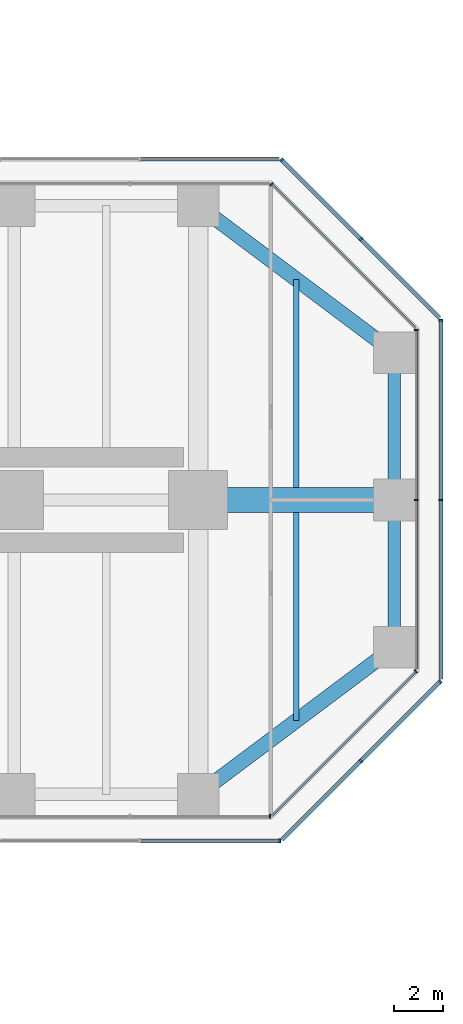
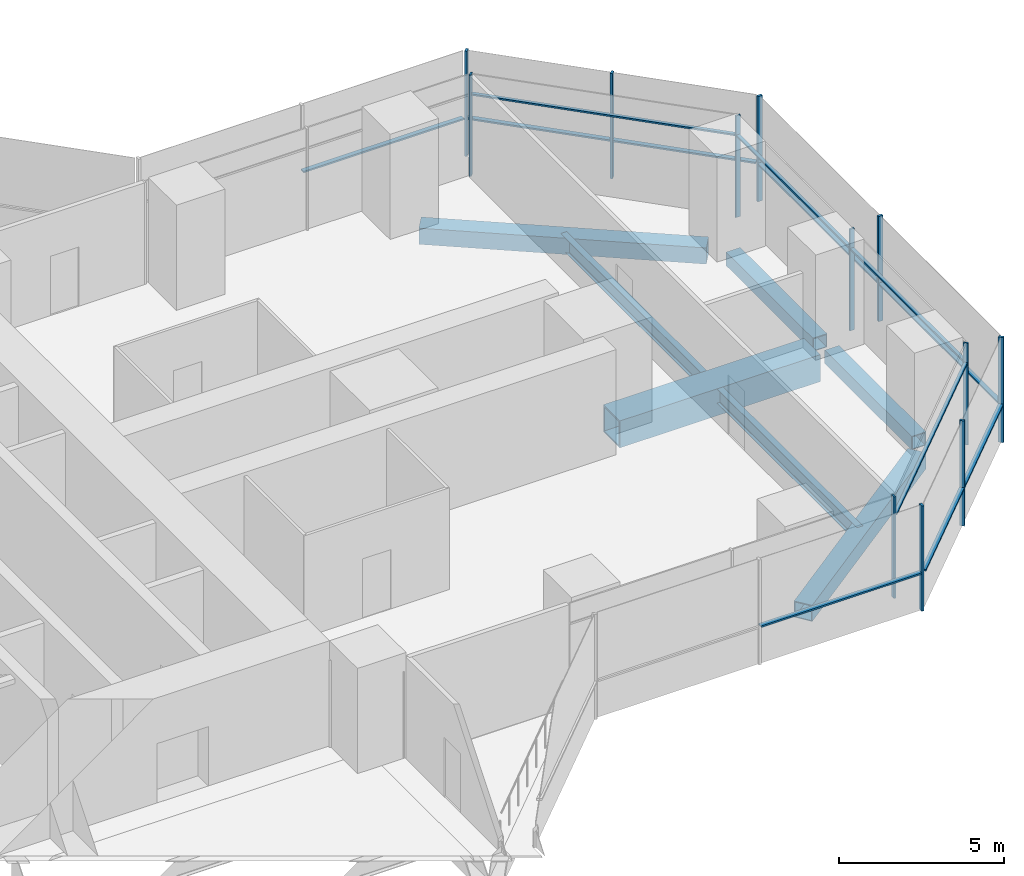
# One storey, part 11 of 19: 24 members, 7 beams, 9 elements without a shape of their own.
"""IFC4 building model written with IfcOpenShell, lengths in metres."""

import ifcopenshell
import ifcopenshell.guid

model = None  # the IFC model being written
_history = None  # IfcOwnerHistory: only IFC2X3 demands one
_inside = {}  # id of a spatial element -> (the spatial element, [elements in it])
_under = {}  # id of a project, library or spatial element -> (it, [spatial elements below it])
_declared = {}  # id of a project -> (the project, [libraries it declares])
_typed = {}  # id of a type object -> (the type object, [elements of that type])
_made_of = {}  # id of a material, layer set ... -> (it, [elements and type objects made of it])


def new_model(schema):
    """Start an empty IFC model of exactly this schema.

    Asked for "IFC4X3", IfcOpenShell would pick the latest addendum, in which some entities
    have other attributes; the version numbers below select the first issue.
    IFC2X3 requires an IfcOwnerHistory on every rooted entity: one is made here for all.
    """
    global model, _history
    if schema == "IFC4X3":
        model = ifcopenshell.file(schema_version=(4, 3, 0, 0))
    else:
        model = ifcopenshell.file(schema=schema)
    _inside.clear()
    _under.clear()
    _declared.clear()
    _typed.clear()
    _made_of.clear()
    _history = None
    if model.schema == "IFC2X3":
        org = make("IfcOrganization", Name="unknown")
        user = make(
            "IfcPersonAndOrganization",
            ThePerson=make("IfcPerson", FamilyName="unknown"),
            TheOrganization=org,
        )
        app = make(
            "IfcApplication",
            ApplicationDeveloper=org,
            Version="unknown",
            ApplicationFullName="unknown",
            ApplicationIdentifier="unknown",
        )
        _history = make(
            "IfcOwnerHistory",
            OwningUser=user,
            OwningApplication=app,
            ChangeAction="ADDED",
            CreationDate=0,
        )
    return model


def make(cls, **values):
    """One entity of the class cls with the attributes given. An attribute that is None is left unset."""
    return model.create_entity(
        cls, **{name: value for name, value in values.items() if value is not None}
    )


def rooted(cls, **values):
    """An entity with a GlobalId (a new one), such as an element, a storey or a relation."""
    return make(cls, GlobalId=ifcopenshell.guid.new(), OwnerHistory=_history, **values)


def si_unit(unit_type, name, prefix=None):
    """IfcSIUnit, for example si_unit("LENGTHUNIT", "METRE", prefix="MILLI")."""
    return make("IfcSIUnit", UnitType=unit_type, Prefix=prefix, Name=name)


def assignment(units):
    """IfcUnitAssignment: the units of a project."""
    return None if units is None else make("IfcUnitAssignment", Units=units)


def point(xyz):
    """IfcCartesianPoint."""
    return None if xyz is None else make("IfcCartesianPoint", Coordinates=xyz)


def direction(xyz):
    """IfcDirection."""
    return None if xyz is None else make("IfcDirection", DirectionRatios=xyz)


def frame(location, z_axis=None, x_axis=None):
    """IfcAxis2Placement3D, a coordinate frame: its origin and axes. An axis left out is left unset."""
    return make(
        "IfcAxis2Placement3D",
        Location=point(location),
        Axis=direction(z_axis),
        RefDirection=direction(x_axis),
    )


def frame_2d(location, x_axis=None):
    """IfcAxis2Placement2D, a coordinate frame in the plane: its origin and x axis."""
    return make(
        "IfcAxis2Placement2D", Location=point(location), RefDirection=direction(x_axis)
    )


def origin():
    """The frame at (0, 0, 0) with its axes left unset."""
    return frame((0.0, 0.0, 0.0))


def origin_2d():
    """The frame at (0, 0) in the plane with its x axis left unset."""
    return frame_2d((0.0, 0.0))


def place(relative_to, where):
    """IfcLocalPlacement: puts the frame where relative to a parent placement (None: the world)."""
    return make(
        "IfcLocalPlacement", PlacementRelTo=relative_to, RelativePlacement=where
    )


def context(
    kind, dimensions, precision=None, world=None, true_north=None, identifier=None
):
    """IfcGeometricRepresentationContext, for example the 3D "Model" context."""
    return make(
        "IfcGeometricRepresentationContext",
        ContextIdentifier=identifier,
        ContextType=kind,
        CoordinateSpaceDimension=dimensions,
        Precision=precision,
        WorldCoordinateSystem=world,
        TrueNorth=true_north,
    )


def subcontext(parent, identifier, kind, view, scale=None):
    """IfcGeometricRepresentationSubContext, for example "Body" below "Model"."""
    return make(
        "IfcGeometricRepresentationSubContext",
        ContextIdentifier=identifier,
        ContextType=kind,
        ParentContext=parent,
        TargetScale=scale,
        TargetView=view,
    )


def project(units=None, contexts=None):
    """IfcProject with its units and contexts."""
    return rooted(
        "IfcProject",
        Name="project",
        RepresentationContexts=contexts,
        UnitsInContext=assignment(units),
    )


def spatial(cls, under=None, at=None, **own):
    """A site, building, storey or space (cls), placed at a placement, below another one or the project."""
    s = rooted(cls, ObjectPlacement=at, **own)
    if under is not None:
        _under.setdefault(under.id(), (under, []))[1].append(s)
    return s


def profile(cls, at=None, kind="AREA", **sizes):
    """A parametric profile (cls). Its sizes go by their IFC names, for example OverallWidth=200.0."""
    return make(cls, ProfileType=kind, Position=at, **sizes)


def rectangle(**sizes):
    """IfcRectangleProfileDef."""
    return profile("IfcRectangleProfileDef", **sizes)


def hollow_rectangle(**sizes):
    """IfcRectangleHollowProfileDef."""
    return profile("IfcRectangleHollowProfileDef", **sizes)


def i_section(**sizes):
    """IfcIShapeProfileDef."""
    return profile("IfcIShapeProfileDef", **sizes)


def extrude(swept, where, along, depth):
    """IfcExtrudedAreaSolid: the profile swept, set in the frame where, extruded along a direction by depth."""
    return make(
        "IfcExtrudedAreaSolid",
        SweptArea=swept,
        Position=where,
        ExtrudedDirection=direction(along),
        Depth=depth,
    )


def shape(context_of_items, identifier, shape_type, items):
    """IfcShapeRepresentation: the items that make up one representation, for example the "Body"."""
    return make(
        "IfcShapeRepresentation",
        ContextOfItems=context_of_items,
        RepresentationIdentifier=identifier,
        RepresentationType=shape_type,
        Items=items,
    )


def material(Name=None, Category=None):
    """IfcMaterial."""
    return make("IfcMaterial", Name=Name, Category=Category)


def material_profile(
    of_material, cross_section, Name=None, Category=None, Priority=None
):
    """IfcMaterialProfile: a cross section and its material."""
    return make(
        "IfcMaterialProfile",
        Name=Name,
        Material=of_material,
        Profile=cross_section,
        Priority=Priority,
        Category=Category,
    )


def profile_set(profiles, Name=None, composite=None):
    """IfcMaterialProfileSet."""
    return make(
        "IfcMaterialProfileSet",
        Name=Name,
        MaterialProfiles=profiles,
        CompositeProfile=composite,
    )


def made_of(thing, what):
    """Note that an element or type object is made of a material, layer set ...; save() writes the relation."""
    if what is not None:
        _made_of.setdefault(what.id(), (what, []))[1].append(thing)
    return thing


def type_object(cls, material=None, **own):
    """A type object (cls), such as IfcWallType, which elements share."""
    return made_of(rooted(cls, **own), material)


def element(
    cls,
    number,
    at=None,
    inside=None,
    cuts=None,
    type_object=None,
    material=None,
    context=None,
    identifier="Body",
    shape_type=None,
    held_by="IfcProductDefinitionShape",
    body=None,
    shapes=None,
    **own,
):
    """One element of the class cls, such as IfcWall. Its Tag is "e" and its number.

    at: its placement. inside: the storey or other place that contains it. cuts: it is an
    opening in that element (IfcRelVoidsElement). A single representation is given by context,
    identifier, shape_type and body (its items); several are given by shapes. held_by: the class
    of the entity that holds the representations. save() writes the other relations.
    """
    e = rooted(cls, Tag="e%d" % number, ObjectPlacement=at, **own)
    if body is not None:
        shapes = [shape(context, identifier, shape_type, body)]
    if shapes is not None:
        e.Representation = make(held_by, Representations=shapes)
    if inside is not None:
        _inside.setdefault(inside.id(), (inside, []))[1].append(e)
    if cuts is not None:
        rooted(
            "IfcRelVoidsElement", RelatingBuildingElement=cuts, RelatedOpeningElement=e
        )
    if type_object is not None:
        _typed.setdefault(type_object.id(), (type_object, []))[1].append(e)
    return made_of(e, material)


def aggregate(whole, parts):
    """IfcRelAggregates: a whole, such as a stair, and the parts it consists of."""
    return rooted("IfcRelAggregates", RelatingObject=whole, RelatedObjects=parts)


def save(model, path):
    """Write the relations noted so far, then the file.

    IfcRelAggregates (storeys below a building ...), IfcRelContainedInSpatialStructure (elements
    in a storey), IfcRelDefinesByType, IfcRelAssociatesMaterial and IfcRelDeclares: one each for
    every whole, place, type object, material and project.
    """
    for whole, parts in _under.values():
        aggregate(whole, parts)
    for where, things in _inside.values():
        rooted(
            "IfcRelContainedInSpatialStructure",
            RelatedElements=things,
            RelatingStructure=where,
        )
    for kind, things in _typed.values():
        rooted("IfcRelDefinesByType", RelatedObjects=things, RelatingType=kind)
    for what, things in _made_of.values():
        rooted("IfcRelAssociatesMaterial", RelatedObjects=things, RelatingMaterial=what)
    for by, libraries in _declared.values():
        rooted("IfcRelDeclares", RelatingContext=by, RelatedDefinitions=libraries)
    model.write(path)


model = new_model("IFC4")

# Units and contexts
model_context = context("Model", 3, precision=1e-05, world=origin(), true_north=direction((0.0, 1.0)))
body_context = subcontext(model_context, "Body", "Model", "MODEL_VIEW")
ifc_project = project(units=[si_unit("LENGTHUNIT", "METRE"), si_unit("AREAUNIT", "SQUARE_METRE"), si_unit("VOLUMEUNIT", "CUBIC_METRE"), si_unit("PLANEANGLEUNIT", "RADIAN"), si_unit("MASSUNIT", "GRAM", prefix="KILO")], contexts=[model_context])

# Site, building, storey
site_placement = place(None, origin())
site = spatial("IfcSite", under=ifc_project, at=site_placement, CompositionType="ELEMENT")
building_placement = place(site_placement, origin())
building = spatial("IfcBuilding", under=site, at=building_placement, Name="Mizan Broadcast Tower", CompositionType="ELEMENT")
storey_placement = place(building_placement, frame((0.0, 0.0, 167.10009765625)))
storey = spatial("IfcBuildingStorey", under=building, at=storey_placement, Name="L38", CompositionType="ELEMENT", Elevation=167.10009765625)

# Beams
ifc_material_1 = material(Name="Steel S355", Category="steel")
ifc_material_profile_1 = material_profile(ifc_material_1, hollow_rectangle(XDim=0.5, YDim=0.5, WallThickness=0.030029296875, at=origin_2d()), Name="BOX 500x500x30")
ifc_profile_set_1 = profile_set([ifc_material_profile_1], Name="Steel S355")
beam_type_1 = type_object("IfcBeamType", Name="EDGE BEAM BOX 500x500x30", PredefinedType="SPANDREL", material=ifc_profile_set_1)
for number, where, z_axis, x_axis, name in (
    (1, (35.0, -5.639892578125, -0.380126953125), (0.0, 1.0, 0.0), (-1.0, 0.0, 0.0), "Edge beam BOX 500x500x30 L38 east arm"),
    (2, (35.0, 5.639892578125, -0.380126953125), (0.0, -1.0, 0.0), (1.0, 0.0, 0.0), "Edge beam BOX 500x500x30 L38 east arm"),
):
    element("IfcBeam", number, at=place(storey_placement, frame(where, z_axis=z_axis, x_axis=x_axis)), inside=storey, type_object=beam_type_1, Name=name, PredefinedType="SPANDREL", context=body_context, shape_type="SweptSolid", body=[
        extrude(hollow_rectangle(XDim=0.5, YDim=0.5, WallThickness=0.030029296875, at=origin_2d()), origin(), (0.0, 0.0, 1.0), 5.27978515625),
    ])
ifc_material_2 = material(Name="Steel S355", Category="steel")
ifc_material_profile_2 = material_profile(ifc_material_2, hollow_rectangle(XDim=0.60009765625, YDim=0.60009765625, WallThickness=0.030029296875, at=origin_2d()), Name="BOX 600x600x30")
ifc_profile_set_2 = profile_set([ifc_material_profile_2], Name="Steel S355")
beam_type_2 = type_object("IfcBeamType", Name="EDGE BEAM BOX 600x600x30", PredefinedType="SPANDREL", material=ifc_profile_set_2)
for number, where, z_axis, x_axis, name in (
    (3, (27.47998046875, -11.639892578125, -0.43017578125), (0.800013316712, 0.599982243973, 0.0), (-0.599982243973, 0.800013316712, 0.0), "Edge beam BOX 600x600x30 L38 east arm"),
    (4, (27.47998046875, 11.639892578125, -0.43017578125), (0.800013316712, -0.599982243973, 0.0), (0.599982243973, 0.800013316712, 0.0), "Edge beam BOX 600x600x30 L38 east arm"),
):
    element("IfcBeam", number, at=place(storey_placement, frame(where, z_axis=z_axis, x_axis=x_axis)), inside=storey, type_object=beam_type_2, Name=name, PredefinedType="SPANDREL", context=body_context, shape_type="SweptSolid", body=[
        extrude(hollow_rectangle(XDim=0.60009765625, YDim=0.60009765625, WallThickness=0.030029296875, at=origin_2d()), origin(), (0.0, 0.0, 1.0), 8.7998046875),
    ])
ifc_material_3 = material(Name="Steel S460", Category="steel")
ifc_material_profile_3 = material_profile(ifc_material_3, hollow_rectangle(XDim=1.0, YDim=1.0, WallThickness=0.06005859375, at=origin_2d()), Name="BOX 1000x1000x60")
ifc_profile_set_3 = profile_set([ifc_material_profile_3], Name="Steel S460")
beam_type_3 = type_object("IfcBeamType", Name="GIRDER BOX 1000x1000x60", PredefinedType="BEAM", material=ifc_profile_set_3)
beam_placement = place(storey_placement, frame((27.47998046875, 0.0, -0.630126953125), z_axis=(1.0, 0.0, 0.0), x_axis=(0.0, 1.0, 0.0)))
element("IfcBeam", 5, at=beam_placement, inside=storey, type_object=beam_type_3, Name="Girder BOX 1000x1000x60 L38 east arm", PredefinedType="BEAM", context=body_context, shape_type="SweptSolid", body=[
    extrude(hollow_rectangle(XDim=1.0, YDim=1.0, WallThickness=0.06005859375, at=origin_2d()), origin(), (0.0, 0.0, 1.0), 7.0400390625),
])

# Curtain wall, member
ifc_material_4 = material(Name="Aluminium framed glazing", Category="aluminium")
curtain_wall_type_1 = type_object("IfcCurtainWallType", Name="INNER SKIN MID ZONE", PredefinedType="USERDEFINED", material=ifc_material_4)
curtain_wall_1_placement = place(storey_placement, origin())
curtain_wall_1 = element("IfcCurtainWall", 6, at=curtain_wall_1_placement, inside=storey, type_object=curtain_wall_type_1, Name="Inner skin mid zone L38 E side", ObjectType="INNER SKIN MID ZONE", PredefinedType="USERDEFINED")
ifc_material_5 = material(Name="Aluminium, pale anodised", Category="aluminium")
ifc_material_profile_4 = material_profile(ifc_material_5, rectangle(XDim=0.159912109375, YDim=0.06005859375, at=origin_2d()), Name="MULLION 160x60")
ifc_profile_set_4 = profile_set([ifc_material_profile_4], Name="Aluminium, pale anodised")
member_type_1 = type_object("IfcMemberType", Name="INNER SKIN MULLION 60x160", PredefinedType="MULLION", material=ifc_profile_set_4)
member_1_placement = place(storey_placement, frame((29.928466796875, -12.89990234375, 0.0), z_axis=(0.0, 0.0, 1.0), x_axis=(0.0, 1.0, 0.0)))
member_1 = element("IfcMember", 7, at=member_1_placement, type_object=member_type_1, Name="Inner skin mid zone L38 E side mullion 3", PredefinedType="MULLION", context=body_context, shape_type="SweptSolid", body=[
    extrude(rectangle(XDim=0.159912109375, YDim=0.06005859375, at=origin_2d()), origin(), (0.0, 0.0, 1.0), 3.77001953125),
])
aggregate(curtain_wall_1, [member_1])

curtain_wall_2_placement = place(storey_placement, origin())
curtain_wall_2 = element("IfcCurtainWall", 8, at=curtain_wall_2_placement, inside=storey, type_object=curtain_wall_type_1, Name="Inner skin mid zone L38 E chamfer", ObjectType="INNER SKIN MID ZONE", PredefinedType="USERDEFINED")
member_2_placement = place(storey_placement, frame((35.87890625, -6.979736328125, 0.0), z_axis=(0.0, 0.0, 1.0), x_axis=(-0.707106781187, 0.707106781187, 0.0)))
member_2 = element("IfcMember", 9, at=member_2_placement, type_object=member_type_1, Name="Inner skin mid zone L38 E chamfer mullion 2", PredefinedType="MULLION", context=body_context, shape_type="SweptSolid", body=[
    extrude(rectangle(XDim=0.159912109375, YDim=0.06005859375, at=origin_2d()), origin(), (0.0, 0.0, 1.0), 3.77001953125),
])

# Curtain wall, members
curtain_wall_3_placement = place(storey_placement, origin())
curtain_wall_3 = element("IfcCurtainWall", 10, at=curtain_wall_3_placement, inside=storey, type_object=curtain_wall_type_1, Name="Inner skin mid zone L38 E end", ObjectType="INNER SKIN MID ZONE", PredefinedType="USERDEFINED")
member_3_placement = place(storey_placement, frame((35.89990234375, 0.0, 0.0), z_axis=(0.0, 0.0, 1.0), x_axis=(-1.0, 0.0, 0.0)))
member_3 = element("IfcMember", 11, at=member_3_placement, type_object=member_type_1, Name="Inner skin mid zone L38 E end mullion 2", PredefinedType="MULLION", context=body_context, shape_type="SweptSolid", body=[
    extrude(rectangle(XDim=0.159912109375, YDim=0.06005859375, at=origin_2d()), origin(), (0.0, 0.0, 1.0), 3.77001953125),
])
member_4_placement = place(storey_placement, frame((35.89990234375, 6.928466796875, 0.0), z_axis=(0.0, 0.0, 1.0), x_axis=(-1.0, 0.0, 0.0)))
member_4 = element("IfcMember", 12, at=member_4_placement, type_object=member_type_1, Name="Inner skin mid zone L38 E end mullion 3", PredefinedType="MULLION", context=body_context, shape_type="SweptSolid", body=[
    extrude(rectangle(XDim=0.159912109375, YDim=0.06005859375, at=origin_2d()), origin(), (0.0, 0.0, 1.0), 3.77001953125),
])

# Curtain wall, member
curtain_wall_4_placement = place(storey_placement, origin())
curtain_wall_4 = element("IfcCurtainWall", 13, at=curtain_wall_4_placement, inside=storey, type_object=curtain_wall_type_1, Name="Inner skin mid zone L38 E chamfer", ObjectType="INNER SKIN MID ZONE", PredefinedType="USERDEFINED")
member_5_placement = place(storey_placement, frame((29.979736328125, 12.87890625, 0.0), z_axis=(0.0, 0.0, 1.0), x_axis=(-0.707106781187, -0.707106781187, 0.0)))
member_5 = element("IfcMember", 14, at=member_5_placement, type_object=member_type_1, Name="Inner skin mid zone L38 E chamfer mullion 2", PredefinedType="MULLION", context=body_context, shape_type="SweptSolid", body=[
    extrude(rectangle(XDim=0.159912109375, YDim=0.06005859375, at=origin_2d()), origin(), (0.0, 0.0, 1.0), 3.77001953125),
])

# Member
ifc_material_6 = material(Name="Aluminium, pale anodised", Category="aluminium")
ifc_material_profile_5 = material_profile(ifc_material_6, rectangle(XDim=0.1201171875, YDim=0.06005859375, at=origin_2d()), Name="TRANSOM 120x60")
ifc_profile_set_5 = profile_set([ifc_material_profile_5], Name="Aluminium, pale anodised")
member_type_2 = type_object("IfcMemberType", Name="INNER SKIN TRANSOM 60x120", PredefinedType="USERDEFINED", material=ifc_profile_set_5)
member_6_placement = place(storey_placement, frame((30.0009765625, -12.857666015625, 3.02978515625), z_axis=(0.707106781187, 0.707106781187, 0.0), x_axis=(-0.707106781187, 0.707106781187, 0.0)))
member_6 = element("IfcMember", 15, at=member_6_placement, type_object=member_type_2, Name="Inner skin mid zone L38 E chamfer transom 1.1", ObjectType="TRANSOM", PredefinedType="USERDEFINED", context=body_context, shape_type="SweptSolid", body=[
    extrude(rectangle(XDim=0.1201171875, YDim=0.06005859375, at=origin_2d()), origin(), (0.0, 0.0, 1.0), 8.28271484375),
])

aggregate(curtain_wall_2, [member_2, member_6])

member_7_placement = place(storey_placement, frame((35.89990234375, -6.898681640625, 3.02978515625), z_axis=(0.0, 1.0, 0.0), x_axis=(-1.0, 0.0, 0.0)))
member_7 = element("IfcMember", 16, at=member_7_placement, type_object=member_type_2, Name="Inner skin mid zone L38 E end transom 1.1", ObjectType="TRANSOM", PredefinedType="USERDEFINED", context=body_context, shape_type="SweptSolid", body=[
    extrude(rectangle(XDim=0.1201171875, YDim=0.06005859375, at=origin_2d()), origin(), (0.0, 0.0, 1.0), 6.86865234375),
])

member_8_placement = place(storey_placement, frame((35.89990234375, 0.030029296875, 3.02978515625), z_axis=(0.0, 1.0, 0.0), x_axis=(-1.0, 0.0, 0.0)))
member_8 = element("IfcMember", 17, at=member_8_placement, type_object=member_type_2, Name="Inner skin mid zone L38 E end transom 2.1", ObjectType="TRANSOM", PredefinedType="USERDEFINED", context=body_context, shape_type="SweptSolid", body=[
    extrude(rectangle(XDim=0.1201171875, YDim=0.06005859375, at=origin_2d()), origin(), (0.0, 0.0, 1.0), 6.86865234375),
])

aggregate(curtain_wall_3, [member_3, member_4, member_7, member_8])

member_9_placement = place(storey_placement, frame((35.857666015625, 7.0009765625, 3.02978515625), z_axis=(-0.707106781187, 0.707106781187, 0.0), x_axis=(-0.707106781187, -0.707106781187, 0.0)))
member_9 = element("IfcMember", 18, at=member_9_placement, type_object=member_type_2, Name="Inner skin mid zone L38 E chamfer transom 1.1", ObjectType="TRANSOM", PredefinedType="USERDEFINED", context=body_context, shape_type="SweptSolid", body=[
    extrude(rectangle(XDim=0.1201171875, YDim=0.06005859375, at=origin_2d()), origin(), (0.0, 0.0, 1.0), 8.28271484375),
])

aggregate(curtain_wall_4, [member_5, member_9])

# Curtain wall, members
ifc_material_7 = material(Name="Aluminium framed glazing", Category="aluminium")
curtain_wall_type_2 = type_object("IfcCurtainWallType", Name="OUTER SKIN", PredefinedType="USERDEFINED", material=ifc_material_7)
curtain_wall_5_placement = place(storey_placement, origin())
curtain_wall_5 = element("IfcCurtainWall", 19, at=curtain_wall_5_placement, inside=storey, type_object=curtain_wall_type_2, Name="Outer skin L38 E chamfer", ObjectType="OUTER SKIN", PredefinedType="USERDEFINED")
ifc_material_8 = material(Name="Aluminium, pale anodised", Category="aluminium")
ifc_material_profile_6 = material_profile(ifc_material_8, rectangle(XDim=0.159912109375, YDim=0.080078125, at=origin_2d()), Name="MULLION 160x80")
ifc_profile_set_6 = profile_set([ifc_material_profile_6], Name="Aluminium, pale anodised")
member_type_3 = type_object("IfcMemberType", Name="OUTER SKIN MULLION 80x160", PredefinedType="MULLION", material=ifc_profile_set_6)
member_10_placement = place(storey_placement, frame((33.636474609375, -10.636474609375, 0.0), z_axis=(0.0, 0.0, 1.0), x_axis=(-0.707106781187, 0.707106781187, 0.0)))
member_10 = element("IfcMember", 20, at=member_10_placement, type_object=member_type_3, Name="Outer skin L38 E chamfer mullion 2", PredefinedType="MULLION", context=body_context, shape_type="SweptSolid", body=[
    extrude(rectangle(XDim=0.159912109375, YDim=0.080078125, at=origin_2d()), origin(), (0.0, 0.0, 1.0), 3.89990234375),
])
member_11_placement = place(storey_placement, frame((36.871826171875, -7.401123046875, 0.0), z_axis=(0.0, 0.0, 1.0), x_axis=(-0.707106781187, 0.707106781187, 0.0)))
member_11 = element("IfcMember", 21, at=member_11_placement, type_object=member_type_3, Name="Outer skin L38 E chamfer mullion 3", PredefinedType="MULLION", context=body_context, shape_type="SweptSolid", body=[
    extrude(rectangle(XDim=0.159912109375, YDim=0.080078125, at=origin_2d()), origin(), (0.0, 0.0, 1.0), 3.89990234375),
])

curtain_wall_6_placement = place(storey_placement, origin())
curtain_wall_6 = element("IfcCurtainWall", 22, at=curtain_wall_6_placement, inside=storey, type_object=curtain_wall_type_2, Name="Outer skin L38 E end", ObjectType="OUTER SKIN", PredefinedType="USERDEFINED")
member_12_placement = place(storey_placement, frame((36.89990234375, 0.0, 0.0), z_axis=(0.0, 0.0, 1.0), x_axis=(-1.0, 0.0, 0.0)))
member_12 = element("IfcMember", 23, at=member_12_placement, type_object=member_type_3, Name="Outer skin L38 E end mullion 2", PredefinedType="MULLION", context=body_context, shape_type="SweptSolid", body=[
    extrude(rectangle(XDim=0.159912109375, YDim=0.080078125, at=origin_2d()), origin(), (0.0, 0.0, 1.0), 3.89990234375),
])
member_13_placement = place(storey_placement, frame((36.89990234375, 7.332763671875, 0.0), z_axis=(0.0, 0.0, 1.0), x_axis=(-1.0, 0.0, 0.0)))
member_13 = element("IfcMember", 24, at=member_13_placement, type_object=member_type_3, Name="Outer skin L38 E end mullion 3", PredefinedType="MULLION", context=body_context, shape_type="SweptSolid", body=[
    extrude(rectangle(XDim=0.159912109375, YDim=0.080078125, at=origin_2d()), origin(), (0.0, 0.0, 1.0), 3.89990234375),
])

curtain_wall_7_placement = place(storey_placement, origin())
curtain_wall_7 = element("IfcCurtainWall", 25, at=curtain_wall_7_placement, inside=storey, type_object=curtain_wall_type_2, Name="Outer skin L38 E chamfer", ObjectType="OUTER SKIN", PredefinedType="USERDEFINED")
member_14_placement = place(storey_placement, frame((33.636474609375, 10.636474609375, 0.0), z_axis=(0.0, 0.0, 1.0), x_axis=(-0.707106781187, -0.707106781187, 0.0)))
member_14 = element("IfcMember", 26, at=member_14_placement, type_object=member_type_3, Name="Outer skin L38 E chamfer mullion 2", PredefinedType="MULLION", context=body_context, shape_type="SweptSolid", body=[
    extrude(rectangle(XDim=0.159912109375, YDim=0.080078125, at=origin_2d()), origin(), (0.0, 0.0, 1.0), 3.89990234375),
])
member_15_placement = place(storey_placement, frame((30.401123046875, 13.871826171875, 0.0), z_axis=(0.0, 0.0, 1.0), x_axis=(-0.707106781187, -0.707106781187, 0.0)))
member_15 = element("IfcMember", 27, at=member_15_placement, type_object=member_type_3, Name="Outer skin L38 E chamfer mullion 3", PredefinedType="MULLION", context=body_context, shape_type="SweptSolid", body=[
    extrude(rectangle(XDim=0.159912109375, YDim=0.080078125, at=origin_2d()), origin(), (0.0, 0.0, 1.0), 3.89990234375),
])

# Curtain wall, member
curtain_wall_8_placement = place(storey_placement, origin())
curtain_wall_8 = element("IfcCurtainWall", 28, at=curtain_wall_8_placement, inside=storey, type_object=curtain_wall_type_2, Name="Outer skin L38 E side", ObjectType="OUTER SKIN", PredefinedType="USERDEFINED")
member_16_placement = place(storey_placement, frame((30.332763671875, -13.89990234375, 0.0), z_axis=(0.0, 0.0, 1.0), x_axis=(0.0, 1.0, 0.0)))
member_16 = element("IfcMember", 29, at=member_16_placement, type_object=member_type_3, Name="Outer skin L38 E side mullion 3", PredefinedType="MULLION", context=body_context, shape_type="SweptSolid", body=[
    extrude(rectangle(XDim=0.159912109375, YDim=0.080078125, at=origin_2d()), origin(), (0.0, 0.0, 1.0), 3.89990234375),
])

# Member
ifc_material_9 = material(Name="Aluminium, pale anodised", Category="aluminium")
ifc_material_profile_7 = material_profile(ifc_material_9, rectangle(XDim=0.159912109375, YDim=0.06005859375, at=origin_2d()), Name="TRANSOM 160x60")
ifc_profile_set_7 = profile_set([ifc_material_profile_7], Name="Aluminium, pale anodised")
member_type_4 = type_object("IfcMemberType", Name="OUTER SKIN TRANSOM 60x160", PredefinedType="USERDEFINED", material=ifc_profile_set_7)
member_17_placement = place(storey_placement, frame((30.429443359375, -13.843505859375, 1.39990234375), z_axis=(0.707106781187, 0.707106781187, 0.0), x_axis=(-0.707106781187, 0.707106781187, 0.0)))
member_17 = element("IfcMember", 30, at=member_17_placement, type_object=member_type_4, Name="Outer skin L38 E chamfer transom 1.1", ObjectType="TRANSOM", PredefinedType="USERDEFINED", context=body_context, shape_type="SweptSolid", body=[
    extrude(rectangle(XDim=0.159912109375, YDim=0.06005859375, at=origin_2d()), origin(), (0.0, 0.0, 1.0), 4.495361328125),
])

member_18_placement = place(storey_placement, frame((33.664794921875, -10.608154296875, 1.39990234375), z_axis=(0.707106781187, 0.707106781187, 0.0), x_axis=(-0.707106781187, 0.707106781187, 0.0)))
member_18 = element("IfcMember", 31, at=member_18_placement, type_object=member_type_4, Name="Outer skin L38 E chamfer transom 2.1", ObjectType="TRANSOM", PredefinedType="USERDEFINED", context=body_context, shape_type="SweptSolid", body=[
    extrude(rectangle(XDim=0.159912109375, YDim=0.06005859375, at=origin_2d()), origin(), (0.0, 0.0, 1.0), 4.495361328125),
])

aggregate(curtain_wall_5, [member_10, member_11, member_17, member_18])

member_19_placement = place(storey_placement, frame((36.89990234375, -7.292724609375, 1.39990234375), z_axis=(0.0, 1.0, 0.0), x_axis=(-1.0, 0.0, 0.0)))
member_19 = element("IfcMember", 32, at=member_19_placement, type_object=member_type_4, Name="Outer skin L38 E end transom 1.1", ObjectType="TRANSOM", PredefinedType="USERDEFINED", context=body_context, shape_type="SweptSolid", body=[
    extrude(rectangle(XDim=0.159912109375, YDim=0.06005859375, at=origin_2d()), origin(), (0.0, 0.0, 1.0), 7.252685546875),
])

member_20_placement = place(storey_placement, frame((36.89990234375, 0.0400390625, 1.39990234375), z_axis=(0.0, 1.0, 0.0), x_axis=(-1.0, 0.0, 0.0)))
member_20 = element("IfcMember", 33, at=member_20_placement, type_object=member_type_4, Name="Outer skin L38 E end transom 2.1", ObjectType="TRANSOM", PredefinedType="USERDEFINED", context=body_context, shape_type="SweptSolid", body=[
    extrude(rectangle(XDim=0.159912109375, YDim=0.06005859375, at=origin_2d()), origin(), (0.0, 0.0, 1.0), 7.252685546875),
])

aggregate(curtain_wall_6, [member_12, member_13, member_19, member_20])

member_21_placement = place(storey_placement, frame((36.843505859375, 7.429443359375, 1.39990234375), z_axis=(-0.707106781187, 0.707106781187, 0.0), x_axis=(-0.707106781187, -0.707106781187, 0.0)))
member_21 = element("IfcMember", 34, at=member_21_placement, type_object=member_type_4, Name="Outer skin L38 E chamfer transom 1.1", ObjectType="TRANSOM", PredefinedType="USERDEFINED", context=body_context, shape_type="SweptSolid", body=[
    extrude(rectangle(XDim=0.159912109375, YDim=0.06005859375, at=origin_2d()), origin(), (0.0, 0.0, 1.0), 4.495361328125),
])

member_22_placement = place(storey_placement, frame((33.608154296875, 10.664794921875, 1.39990234375), z_axis=(-0.707106781187, 0.707106781187, 0.0), x_axis=(-0.707106781187, -0.707106781187, 0.0)))
member_22 = element("IfcMember", 35, at=member_22_placement, type_object=member_type_4, Name="Outer skin L38 E chamfer transom 2.1", ObjectType="TRANSOM", PredefinedType="USERDEFINED", context=body_context, shape_type="SweptSolid", body=[
    extrude(rectangle(XDim=0.159912109375, YDim=0.06005859375, at=origin_2d()), origin(), (0.0, 0.0, 1.0), 4.495361328125),
])

aggregate(curtain_wall_7, [member_14, member_15, member_21, member_22])

# Curtain wall, member
curtain_wall_9_placement = place(storey_placement, origin())
curtain_wall_9 = element("IfcCurtainWall", 36, at=curtain_wall_9_placement, inside=storey, type_object=curtain_wall_type_2, Name="Outer skin L38 E side", ObjectType="OUTER SKIN", PredefinedType="USERDEFINED")
member_23_placement = place(storey_placement, frame((30.292724609375, 13.89990234375, 1.39990234375), z_axis=(-1.0, 0.0, 0.0), x_axis=(0.0, -1.0, 0.0)))
member_23 = element("IfcMember", 37, at=member_23_placement, type_object=member_type_4, Name="Outer skin L38 E side transom 1.1", ObjectType="TRANSOM", PredefinedType="USERDEFINED", context=body_context, shape_type="SweptSolid", body=[
    extrude(rectangle(XDim=0.159912109375, YDim=0.06005859375, at=origin_2d()), origin(), (0.0, 0.0, 1.0), 5.6298828125),
])
aggregate(curtain_wall_9, [member_23])

# Member
member_24_placement = place(storey_placement, frame((24.662841796875, -13.89990234375, 1.39990234375), z_axis=(1.0, 0.0, 0.0), x_axis=(0.0, 1.0, 0.0)))
member_24 = element("IfcMember", 38, at=member_24_placement, type_object=member_type_4, Name="Outer skin L38 E side transom 2.1", ObjectType="TRANSOM", PredefinedType="USERDEFINED", context=body_context, shape_type="SweptSolid", body=[
    extrude(rectangle(XDim=0.159912109375, YDim=0.06005859375, at=origin_2d()), origin(), (0.0, 0.0, 1.0), 5.6298828125),
])

aggregate(curtain_wall_8, [member_16, member_24])

# Beams
ifc_material_10 = material(Name="Steel S355", Category="steel")
ifc_material_profile_8 = material_profile(ifc_material_10, i_section(OverallWidth=0.2099609375, OverallDepth=0.550048828125, WebThickness=0.010986328125, FlangeThickness=0.01708984375, FilletRadius=0.02392578125, at=origin_2d()), Name="IPE 550")
ifc_profile_set_8 = profile_set([ifc_material_profile_8], Name="Steel S355")
beam_type_4 = type_object("IfcBeamType", Name="SECONDARY BEAM IPE 550", PredefinedType="JOIST", material=ifc_profile_set_8)
for number, where, z_axis, x_axis, name in (
    (39, (31.0, -9.0, -0.405029296875), (0.0, 1.0, 0.0), (-1.0, 0.0, 0.0), "Secondary beam IPE 550 L38 east arm"),
    (40, (31.0, 9.0, -0.405029296875), (0.0, -1.0, 0.0), (1.0, 0.0, 0.0), "Secondary beam IPE 550 L38 east arm"),
):
    element("IfcBeam", number, at=place(storey_placement, frame(where, z_axis=z_axis, x_axis=x_axis)), inside=storey, type_object=beam_type_4, Name=name, PredefinedType="JOIST", context=body_context, shape_type="SweptSolid", body=[
        extrude(i_section(OverallWidth=0.2099609375, OverallDepth=0.550048828125, WebThickness=0.010986328125, FlangeThickness=0.01708984375, FilletRadius=0.02392578125, at=origin_2d()), origin(), (0.0, 0.0, 1.0), 8.5),
    ])

save(model, "model.ifc")
